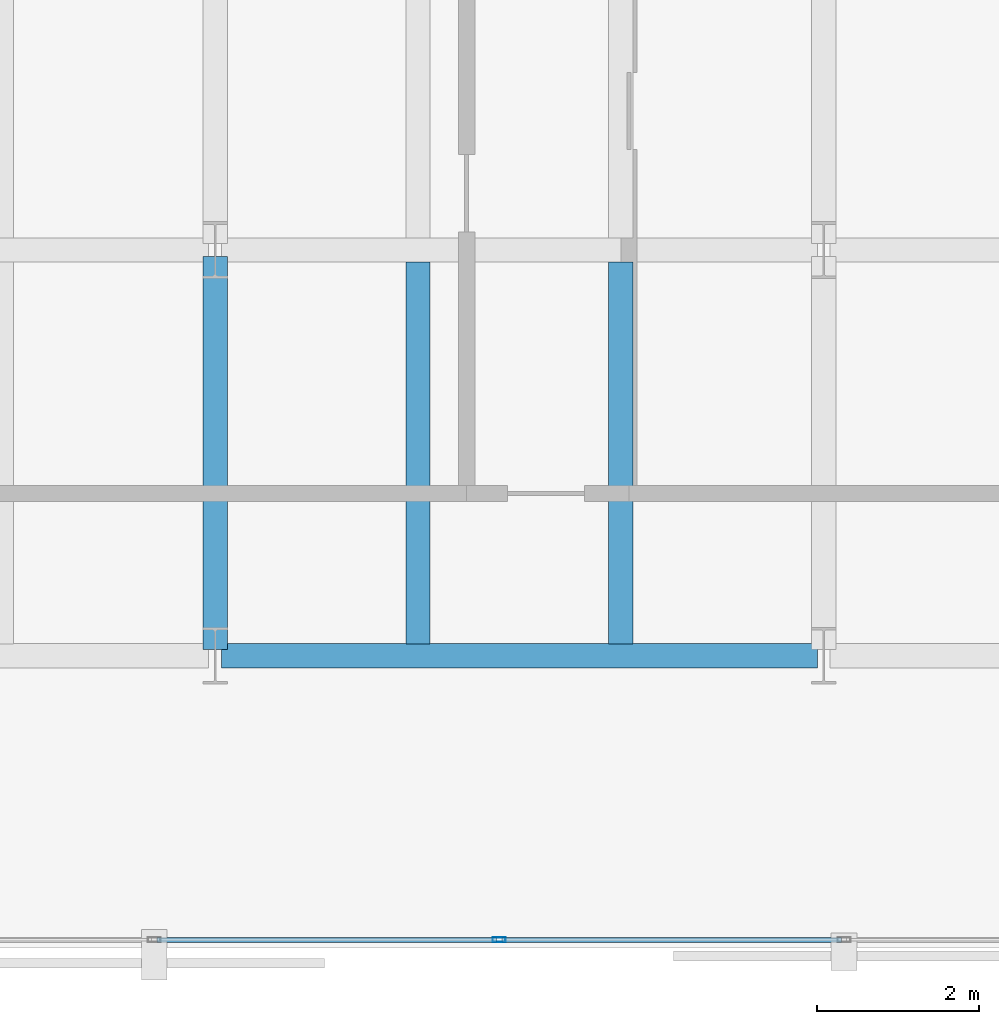
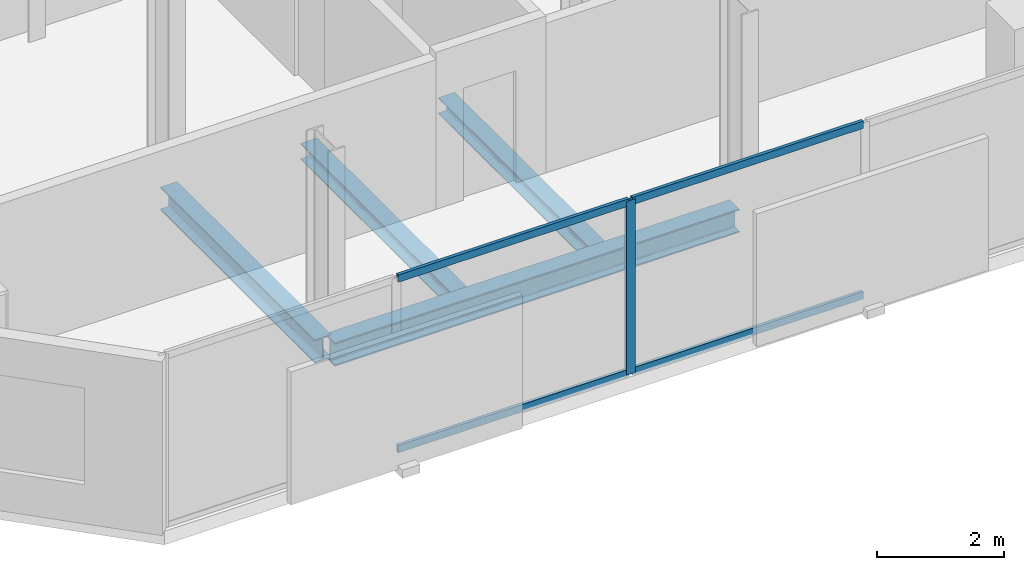
# One storey, part 4 of 34: 5 members, 4 beams, 1 element without a shape of its own.
"""IFC4 building model written with IfcOpenShell, lengths in metres."""

from ifc_helpers import new_model, si_unit, direction, frame, origin, origin_2d, place, context, subcontext, project, spatial, hollow_rectangle, i_section, extrude, material, layer, layer_set, material_profile, profile_set, type_object, element, aggregate, save


model = new_model("IFC4")

# Units and contexts
model_context = context("Model", 3, precision=1e-05, world=origin(), true_north=direction((0.0, 1.0)))
body_context = subcontext(model_context, "Body", "Model", "MODEL_VIEW")
ifc_project = project(units=[si_unit("LENGTHUNIT", "METRE"), si_unit("AREAUNIT", "SQUARE_METRE"), si_unit("VOLUMEUNIT", "CUBIC_METRE"), si_unit("PLANEANGLEUNIT", "RADIAN"), si_unit("MASSUNIT", "GRAM", prefix="KILO")], contexts=[model_context])

# Site, building, storey
site_placement = place(None, origin())
site = spatial("IfcSite", under=ifc_project, at=site_placement, CompositionType="ELEMENT")
building_placement = place(site_placement, origin())
building = spatial("IfcBuilding", under=site, at=building_placement, Name="Catumbela Crestline Tower", CompositionType="ELEMENT")
storey_placement = place(building_placement, frame((0.0, 0.0, 115.2)))
storey = spatial("IfcBuildingStorey", under=building, at=storey_placement, Name="L29", CompositionType="ELEMENT", Elevation=115.2)

# Beams
ifc_material_1 = material(Name="Structural steel S355J2", Category="steel")
ifc_material_profile_1 = material_profile(ifc_material_1, i_section(OverallWidth=0.3, OverallDepth=0.45, WebThickness=0.014, FlangeThickness=0.026, FilletRadius=0.027, at=origin_2d()), Name="HEB 450")
ifc_profile_set_1 = profile_set([ifc_material_profile_1], Name="Structural steel S355J2")
beam_type_1 = type_object("IfcBeamType", Name="BG-HEB450", PredefinedType="BEAM", material=ifc_profile_set_1)
beam_1_placement = place(storey_placement, frame((8.58, 8.6, -0.485), z_axis=(1.0, 0.0, 0.0), x_axis=(0.0, 1.0, 0.0)))
element("IfcBeam", 1, at=beam_1_placement, inside=storey, type_object=beam_type_1, Name="L29 Beam BM-L29-WEW44", PredefinedType="BEAM", context=body_context, shape_type="SweptSolid", body=[
    extrude(i_section(OverallWidth=0.3, OverallDepth=0.45, WebThickness=0.014, FlangeThickness=0.026, FilletRadius=0.027, at=origin_2d()), origin(), (0.0, 0.0, 1.0), 7.34),
])
beam_2_placement = place(storey_placement, frame((8.5, 8.68, -0.485), z_axis=(0.0, 1.0, 0.0), x_axis=(-1.0, 0.0, 0.0)))
element("IfcBeam", 2, at=beam_2_placement, inside=storey, type_object=beam_type_1, Name="L29 Beam BM-L29-WNS55", PredefinedType="BEAM", context=body_context, shape_type="SweptSolid", body=[
    extrude(i_section(OverallWidth=0.3, OverallDepth=0.45, WebThickness=0.014, FlangeThickness=0.026, FilletRadius=0.027, at=origin_2d()), origin(), (0.0, 0.0, 1.0), 4.84),
])
ifc_material_profile_2 = material_profile(ifc_material_1, i_section(OverallWidth=0.3, OverallDepth=0.31, WebThickness=0.009, FlangeThickness=0.0155, FilletRadius=0.027, at=origin_2d()), Name="HEA 320")
ifc_profile_set_2 = profile_set([ifc_material_profile_2], Name="Structural steel S355J2")
beam_type_2 = type_object("IfcBeamType", Name="BJ-HEA320", PredefinedType="JOIST", material=ifc_profile_set_2)
for number, where, z_axis, x_axis, name in (
    (3, (11.0, 8.747, -0.415), (0.0, 1.0, 0.0), (-1.0, 0.0, 0.0), "L29 Joist JS-L29-WG65"),
    (4, (13.5, 8.747, -0.415), (0.0, 1.0, 0.0), (-1.0, 0.0, 0.0), "L29 Joist JS-L29-WG66"),
):
    element("IfcBeam", number, at=place(storey_placement, frame(where, z_axis=z_axis, x_axis=x_axis)), inside=storey, type_object=beam_type_2, Name=name, PredefinedType="JOIST", context=body_context, shape_type="SweptSolid", body=[
        extrude(i_section(OverallWidth=0.3, OverallDepth=0.31, WebThickness=0.009, FlangeThickness=0.0155, FilletRadius=0.027, at=origin_2d()), origin(), (0.0, 0.0, 1.0), 4.706),
    ])

# Curtain wall, members
ifc_material_2 = material(Name="Aluminium alloy AW-6060-T66", Category="aluminium")
ifc_layer = layer(ifc_material_2, 0.18, Name="Aluminium alloy AW-6060-T66")
ifc_layer_set = layer_set([ifc_layer], Name="Aluminium alloy AW-6060-T66")
curtain_wall_type = type_object("IfcCurtainWallType", Name="CWU-Z2", PredefinedType="USERDEFINED", material=ifc_layer_set)
curtain_wall_placement = place(storey_placement, origin())
curtain_wall = element("IfcCurtainWall", 5, at=curtain_wall_placement, inside=storey, type_object=curtain_wall_type, Name="L29 Unitised Curtain Wall CW-L29-E0S1", ObjectType="UNITISED", PredefinedType="USERDEFINED")
ifc_material_profile_3 = material_profile(ifc_material_2, hollow_rectangle(XDim=0.06, YDim=0.16, WallThickness=0.004, at=origin_2d()), Name="ALU 160x60x4")
ifc_profile_set_3 = profile_set([ifc_material_profile_3], Name="Aluminium alloy AW-6060-T66")
member_type_1 = type_object("IfcMemberType", Name="MUL-160X60", PredefinedType="MULLION", material=ifc_profile_set_3)
member_1_placement = place(storey_placement, frame((12.0, 5.1, 0.0), z_axis=(0.0, 0.0, 1.0), x_axis=(0.0, 1.0, 0.0)))
member_1 = element("IfcMember", 6, at=member_1_placement, type_object=member_type_1, Name="CWU-Z2 mullion 3", PredefinedType="MULLION", context=body_context, shape_type="SweptSolid", body=[
    extrude(hollow_rectangle(XDim=0.06, YDim=0.16, WallThickness=0.004, at=origin_2d()), origin(), (0.0, 0.0, 1.0), 3.33),
])
ifc_material_profile_4 = material_profile(ifc_material_2, hollow_rectangle(XDim=0.06, YDim=0.14, WallThickness=0.004, at=origin_2d()), Name="ALU 140x60x4")
ifc_profile_set_4 = profile_set([ifc_material_profile_4], Name="Aluminium alloy AW-6060-T66")
member_type_2 = type_object("IfcMemberType", Name="TRN-140X60", PredefinedType="USERDEFINED", material=ifc_profile_set_4)
member_2_placement = place(storey_placement, frame((7.7825, 5.1, 0.03), z_axis=(1.0, 0.0, 0.0), x_axis=(0.0, 1.0, 0.0)))
member_2 = element("IfcMember", 7, at=member_2_placement, type_object=member_type_2, Name="CWU-Z2 transom 2.1", ObjectType="TRANSOM", PredefinedType="USERDEFINED", context=body_context, shape_type="SweptSolid", body=[
    extrude(hollow_rectangle(XDim=0.06, YDim=0.14, WallThickness=0.004, at=origin_2d()), origin(), (0.0, 0.0, 1.0), 4.185),
])
member_3_placement = place(storey_placement, frame((7.7825, 5.1, 3.3), z_axis=(1.0, 0.0, 0.0), x_axis=(0.0, 1.0, 0.0)))
member_3 = element("IfcMember", 8, at=member_3_placement, type_object=member_type_2, Name="CWU-Z2 transom 2.2", ObjectType="TRANSOM", PredefinedType="USERDEFINED", context=body_context, shape_type="SweptSolid", body=[
    extrude(hollow_rectangle(XDim=0.06, YDim=0.14, WallThickness=0.004, at=origin_2d()), origin(), (0.0, 0.0, 1.0), 4.185),
])
member_4_placement = place(storey_placement, frame((12.0325, 5.1, 0.03), z_axis=(1.0, 0.0, 0.0), x_axis=(0.0, 1.0, 0.0)))
member_4 = element("IfcMember", 9, at=member_4_placement, type_object=member_type_2, Name="CWU-Z2 transom 3.1", ObjectType="TRANSOM", PredefinedType="USERDEFINED", context=body_context, shape_type="SweptSolid", body=[
    extrude(hollow_rectangle(XDim=0.06, YDim=0.14, WallThickness=0.004, at=origin_2d()), origin(), (0.0, 0.0, 1.0), 4.185),
])
member_5_placement = place(storey_placement, frame((12.0325, 5.1, 3.3), z_axis=(1.0, 0.0, 0.0), x_axis=(0.0, 1.0, 0.0)))
member_5 = element("IfcMember", 10, at=member_5_placement, type_object=member_type_2, Name="CWU-Z2 transom 3.2", ObjectType="TRANSOM", PredefinedType="USERDEFINED", context=body_context, shape_type="SweptSolid", body=[
    extrude(hollow_rectangle(XDim=0.06, YDim=0.14, WallThickness=0.004, at=origin_2d()), origin(), (0.0, 0.0, 1.0), 4.185),
])
aggregate(curtain_wall, [member_1, member_2, member_3, member_4, member_5])

save(model, "model.ifc")
